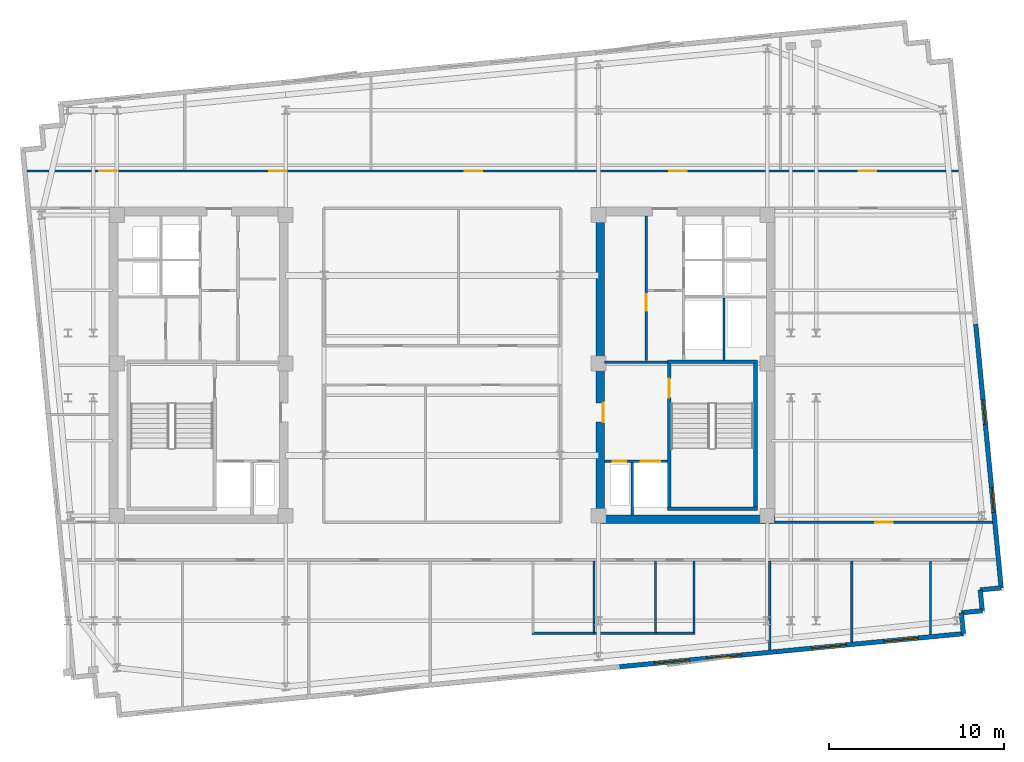
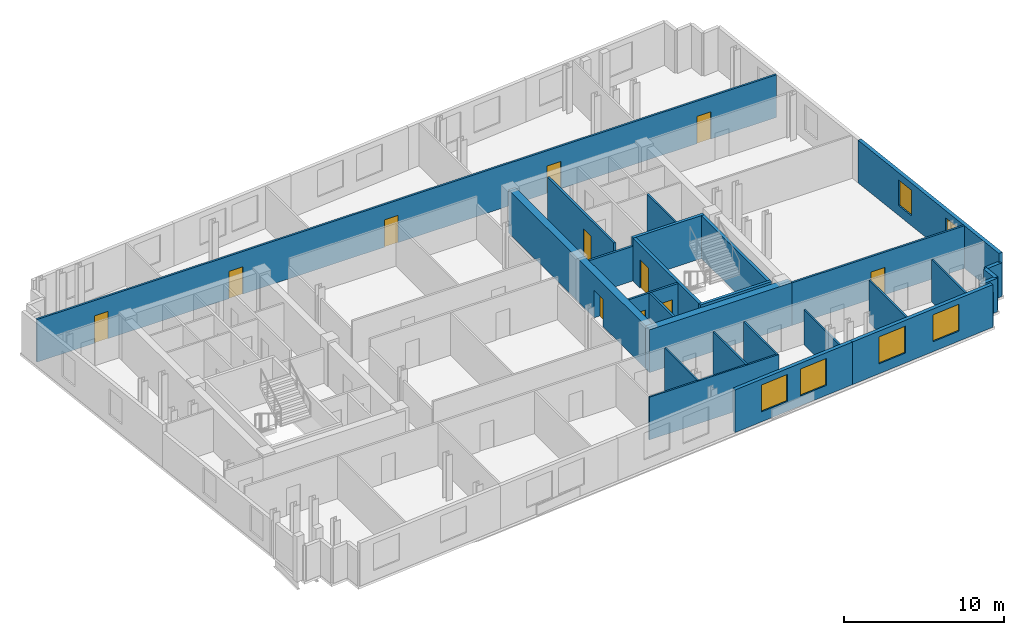
# One storey, part 5 of 9: 27 walls, 11 doors, 6 windows, 17 openings.
"""IFC4 building model written with IfcOpenShell, lengths in metres."""

from ifc_helpers import new_model, si_unit, direction, frame, frame_2d, origin, place, context, subcontext, project, spatial, rectangle, extrude, material, layer, layer_set, type_object, element, fill, save


model = new_model("IFC4")

# Units and contexts
model_context = context("Model", 3, precision=1e-05, world=origin(), true_north=direction((0.0, 1.0)))
body_context = subcontext(model_context, "Body", "Model", "MODEL_VIEW")
ifc_project = project(units=[si_unit("LENGTHUNIT", "METRE"), si_unit("AREAUNIT", "SQUARE_METRE"), si_unit("VOLUMEUNIT", "CUBIC_METRE"), si_unit("PLANEANGLEUNIT", "RADIAN"), si_unit("MASSUNIT", "GRAM", prefix="KILO")], contexts=[model_context])

# Site, building, storey
site_placement = place(None, origin())
site = spatial("IfcSite", under=ifc_project, at=site_placement, CompositionType="ELEMENT")
building_placement = place(site_placement, origin())
building = spatial("IfcBuilding", under=site, at=building_placement, Name="Velakula Bourse", CompositionType="ELEMENT")
storey_placement = place(building_placement, frame((0.0, 0.0, 268.949951171875)))
storey = spatial("IfcBuildingStorey", under=building, at=storey_placement, Name="L73", CompositionType="ELEMENT", Elevation=268.949951171875)

# Wall, opening, door
ifc_material_1 = material(Name="Concrete M50 (fck 50 MPa)", Category="concrete")
ifc_layer_1 = layer(ifc_material_1, 0.2099609375, Name="Concrete M50 (fck 50 MPa)", Category="concrete")
ifc_layer_set_1 = layer_set([ifc_layer_1], Name="Concrete M50 (fck 50 MPa)")
wall_type_1 = type_object("IfcWallType", Name="WL-CORE-210", PredefinedType="SHEAR", material=ifc_layer_set_1)
wall_1_placement = place(storey_placement, frame((12.9951171875, -8.10009765625, 0.0), z_axis=(0.0, 0.0, 1.0), x_axis=(0.0, 1.0, 0.0)))
wall_1 = element("IfcWall", 1, at=wall_1_placement, inside=storey, type_object=wall_type_1, Name="L73 Core E Stairwell Shear Wall IN", PredefinedType="SHEAR", context=body_context, shape_type="SweptSolid", body=[
    extrude(rectangle(XDim=8.2001953125, YDim=0.2099609375, at=frame_2d((4.10009765625, 0.0))), origin(), (0.0, 0.0, 1.0), 3.27001953125),
])
opening_1_placement = place(wall_1_placement, frame((6.25, 0.0, 0.0)))
opening_1 = element("IfcOpeningElement", 2, at=opening_1_placement, cuts=wall_1, Name="Opening D-STE1", PredefinedType="OPENING", context=body_context, shape_type="SweptSolid", body=[
    extrude(rectangle(XDim=1.10009765625, YDim=2.14990234375, at=frame_2d((0.550048828125, 1.074951171875))), frame((0.0, 0.114990234375, 0.0), z_axis=(0.0, -1.0, 0.0), x_axis=(1.0, 0.0, 0.0)), (0.0, 0.0, 1.0), 0.22998046875),
])
ifc_material_2 = material(Name="Galvanised painted hollow steel fire door", Category="steel")
door_type_1 = type_object("IfcDoorType", Name="DR-FD120-1100x2150", OperationType="NOTDEFINED", PredefinedType="DOOR", material=ifc_material_2)
door_1_placement = place(opening_1_placement, origin())
door_1 = element("IfcDoor", 3, at=door_1_placement, inside=storey, type_object=door_type_1, Name="L73 Stair ST-E1 Fire Door", OperationType="SINGLE_SWING_RIGHT", OverallHeight=2.14990234375, OverallWidth=1.10009765625, PredefinedType="DOOR", context=body_context, shape_type="SweptSolid", body=[
    extrude(rectangle(XDim=1.10009765625, YDim=2.14990234375, at=frame_2d((0.550048828125, 1.074951171875))), frame((0.0, 0.02490234375, 0.0), z_axis=(0.0, -1.0, 0.0), x_axis=(1.0, 0.0, 0.0)), (0.0, 0.0, 1.0), 0.050048828125),
])
fill(opening_1, door_1)

# Walls
wall_2_placement = place(storey_placement, frame((17.925048828125, -8.10009765625, 0.0), z_axis=(0.0, 0.0, 1.0), x_axis=(0.0, 1.0, 0.0)))
element("IfcWall", 4, at=wall_2_placement, inside=storey, type_object=wall_type_1, Name="L73 Core E Stairwell Shear Wall OUT", PredefinedType="SHEAR", context=body_context, shape_type="SweptSolid", body=[
    extrude(rectangle(XDim=8.2001953125, YDim=0.2099609375, at=frame_2d((4.10009765625, 0.0))), origin(), (0.0, 0.0, 1.0), 3.27001953125),
])
for number, where, z_axis, x_axis, name in (
    (5, (12.889892578125, -8.205078125, 0.0), (0.0, 0.0, 1.0), (1.0, 0.0, 0.0), "L73 Core E Stairwell Shear Wall S"),
    (6, (18.030029296875, 0.205078125, 0.0), (0.0, 0.0, 1.0), (-1.0, 0.0, 0.0), "L73 Core E Stairwell Shear Wall N"),
):
    element("IfcWall", number, at=place(storey_placement, frame(where, z_axis=z_axis, x_axis=x_axis)), inside=storey, type_object=wall_type_1, Name=name, PredefinedType="SHEAR", context=body_context, shape_type="SweptSolid", body=[
        extrude(rectangle(XDim=5.14013671875, YDim=0.2099609375, at=frame_2d((2.570068359375, 0.0))), origin(), (0.0, 0.0, 1.0), 3.27001953125),
    ])
ifc_layer_2 = layer(ifc_material_1, 0.5, Name="Concrete M50 (fck 50 MPa)", Category="concrete")
ifc_layer_set_2 = layer_set([ifc_layer_2], Name="Concrete M50 (fck 50 MPa)")
wall_type_2 = type_object("IfcWallType", Name="WL-CORE-500", PredefinedType="SHEAR", material=ifc_layer_set_2)
wall_3_placement = place(storey_placement, frame((8.800048828125, -8.800048828125, 0.0), z_axis=(0.0, 0.0, 1.0), x_axis=(1.0, 0.0, 0.0)))
element("IfcWall", 7, at=wall_3_placement, inside=storey, type_object=wall_type_2, Name="L73 Core E Shear Wall S", PredefinedType="SHEAR", context=body_context, shape_type="SweptSolid", body=[
    extrude(rectangle(XDim=10.25, YDim=0.5, at=frame_2d((5.125, 0.0))), origin(), (0.0, 0.0, 1.0), 3.27001953125),
])

# Wall, opening, door
wall_4_placement = place(storey_placement, frame((9.050048828125, -8.550048828125, 0.0), z_axis=(0.0, 0.0, 1.0), x_axis=(0.0, 1.0, 0.0)))
wall_4 = element("IfcWall", 8, at=wall_4_placement, inside=storey, type_object=wall_type_2, Name="L73 Core E Shear Wall W", PredefinedType="SHEAR", context=body_context, shape_type="SweptSolid", body=[
    extrude(rectangle(XDim=17.10009765625, YDim=0.5, at=frame_2d((8.550048828125, 0.0))), origin(), (0.0, 0.0, 1.0), 3.27001953125),
])
opening_2_placement = place(wall_4_placement, frame((5.300048828125, 0.0, 0.0)))
opening_2 = element("IfcOpeningElement", 9, at=opening_2_placement, cuts=wall_4, Name="Opening D-FLE", PredefinedType="OPENING", context=body_context, shape_type="SweptSolid", body=[
    extrude(rectangle(XDim=1.10009765625, YDim=2.080078125, at=frame_2d((0.550048828125, 1.0400390625))), frame((0.0, 0.260009765625, 0.0), z_axis=(0.0, -1.0, 0.0), x_axis=(1.0, 0.0, 0.0)), (0.0, 0.0, 1.0), 0.52001953125),
])
door_type_2 = type_object("IfcDoorType", Name="DR-FD120-1100", OperationType="NOTDEFINED", PredefinedType="DOOR", material=ifc_material_2)
door_2_placement = place(opening_2_placement, origin())
door_2 = element("IfcDoor", 10, at=door_2_placement, inside=storey, type_object=door_type_2, Name="L73 Firefighting Lobby E Corridor Fire Door", OperationType="SINGLE_SWING_RIGHT", OverallHeight=2.080078125, OverallWidth=1.10009765625, PredefinedType="DOOR", context=body_context, shape_type="SweptSolid", body=[
    extrude(rectangle(XDim=1.10009765625, YDim=2.080078125, at=frame_2d((0.550048828125, 1.0400390625))), frame((0.0, -0.15478515625, 0.0), z_axis=(0.0, -1.0, 0.0), x_axis=(1.0, 0.0, 0.0)), (0.0, 0.0, 1.0), 0.050048828125),
])
fill(opening_2, door_2)

# Wall, openings, windows
ifc_material_3 = material(Name="Buff kilned clay facing brick masonry", Category="masonry")
ifc_layer_3 = layer(ifc_material_3, 0.260009765625, Name="Buff kilned clay facing brick masonry", Category="masonry")
ifc_layer_set_3 = layer_set([ifc_layer_3], Name="Buff kilned clay facing brick masonry")
wall_type_3 = type_object("IfcWallType", Name="WL-EXT-BRK-260", PredefinedType="STANDARD", material=ifc_layer_set_3)
wall_5_placement = place(storey_placement, frame((19.119873046875, -16.375244140625, 0.0), z_axis=(0.0, 0.0, 1.0), x_axis=(-0.995396794462, -0.09583956164, 0.0)))
wall_5 = element("IfcWall", 11, at=wall_5_placement, inside=storey, type_object=wall_type_3, Name="L73 S Brick Spandrel Wall B4", PredefinedType="STANDARD", context=body_context, shape_type="SweptSolid", body=[
    extrude(rectangle(XDim=9.0, YDim=0.260009765625, at=frame_2d((4.5, 0.0))), origin(), (0.0, 0.0, 1.0), 3.25),
])
opening_3_placement = place(wall_5_placement, frame((2.0, 0.0, 0.760009765625)))
opening_3 = element("IfcOpeningElement", 12, at=opening_3_placement, cuts=wall_5, Name="Opening W-05", PredefinedType="OPENING", context=body_context, shape_type="SweptSolid", body=[
    extrude(rectangle(XDim=2.0, YDim=2.050048828125, at=frame_2d((1.0, 1.02490234375))), frame((0.0, 0.139892578125, 0.0), z_axis=(0.0, -1.0, 0.0), x_axis=(1.0, 0.0, 0.0)), (0.0, 0.0, 1.0), 0.280029296875),
])
opening_4_placement = place(wall_5_placement, frame((5.0, 0.0, 0.760009765625)))
opening_4 = element("IfcOpeningElement", 13, at=opening_4_placement, cuts=wall_5, Name="Opening W-05", PredefinedType="OPENING", context=body_context, shape_type="SweptSolid", body=[
    extrude(rectangle(XDim=2.0, YDim=2.050048828125, at=frame_2d((1.0, 1.02490234375))), frame((0.0, 0.139892578125, 0.0), z_axis=(0.0, -1.0, 0.0), x_axis=(1.0, 0.0, 0.0)), (0.0, 0.0, 1.0), 0.280029296875),
])
ifc_material_4 = material(Name="Double-glazed solar-control Low-E glass", Category="glass")
window_type_1 = type_object("IfcWindowType", Name="WIN-TWR-2000x2200", PartitioningType="DOUBLE_PANEL_VERTICAL", PredefinedType="WINDOW", material=ifc_material_4)
window_1_placement = place(opening_3_placement, origin())
window_1 = element("IfcWindow", 14, at=window_1_placement, inside=storey, type_object=window_type_1, Name="L73 Deep-Set Recessed Window 1", OverallHeight=2.050048828125, OverallWidth=2.0, PartitioningType="DOUBLE_PANEL_VERTICAL", PredefinedType="WINDOW", context=body_context, shape_type="SweptSolid", body=[
    extrude(rectangle(XDim=2.0, YDim=2.050048828125, at=frame_2d((1.0, 1.02490234375))), frame((0.0, 0.030029296875, 0.0), z_axis=(0.0, -1.0, 0.0), x_axis=(1.0, 0.0, 0.0)), (0.0, 0.0, 1.0), 0.06005859375),
])
fill(opening_3, window_1)
window_2_placement = place(opening_4_placement, origin())
window_2 = element("IfcWindow", 15, at=window_2_placement, inside=storey, type_object=window_type_1, Name="L73 Deep-Set Recessed Window 2", OverallHeight=2.050048828125, OverallWidth=2.0, PartitioningType="DOUBLE_PANEL_VERTICAL", PredefinedType="WINDOW", context=body_context, shape_type="SweptSolid", body=[
    extrude(rectangle(XDim=2.0, YDim=2.050048828125, at=frame_2d((1.0, 1.02490234375))), frame((0.0, 0.030029296875, 0.0), z_axis=(0.0, -1.0, 0.0), x_axis=(1.0, 0.0, 0.0)), (0.0, 0.0, 1.0), 0.06005859375),
])
fill(opening_4, window_2)

wall_6_placement = place(storey_placement, frame((29.820556640625, -15.344970703125, 0.0), z_axis=(0.0, 0.0, 1.0), x_axis=(-0.995396954468, -0.095837899791, 0.0)))
wall_6 = element("IfcWall", 16, at=wall_6_placement, inside=storey, type_object=wall_type_3, Name="L73 S Brick Spandrel Wall B5", PredefinedType="STANDARD", context=body_context, shape_type="SweptSolid", body=[
    extrude(rectangle(XDim=10.750244140625, YDim=0.260009765625, at=frame_2d((5.375, 0.0))), origin(), (0.0, 0.0, 1.0), 3.25),
])
opening_5_placement = place(wall_6_placement, frame((2.583251953125, 0.0, 0.760009765625)))
opening_5 = element("IfcOpeningElement", 17, at=opening_5_placement, cuts=wall_6, Name="Opening W-05", PredefinedType="OPENING", context=body_context, shape_type="SweptSolid", body=[
    extrude(rectangle(XDim=2.0, YDim=2.050048828125, at=frame_2d((1.0, 1.02490234375))), frame((0.0, 0.139892578125, 0.0), z_axis=(0.0, -1.0, 0.0), x_axis=(1.0, 0.0, 0.0)), (0.0, 0.0, 1.0), 0.280029296875),
])
opening_6_placement = place(wall_6_placement, frame((6.716796875, 0.0, 0.760009765625)))
opening_6 = element("IfcOpeningElement", 18, at=opening_6_placement, cuts=wall_6, Name="Opening W-05", PredefinedType="OPENING", context=body_context, shape_type="SweptSolid", body=[
    extrude(rectangle(XDim=2.0, YDim=2.050048828125, at=frame_2d((1.0, 1.02490234375))), frame((0.0, 0.139892578125, 0.0), z_axis=(0.0, -1.0, 0.0), x_axis=(1.0, 0.0, 0.0)), (0.0, 0.0, 1.0), 0.280029296875),
])
window_3_placement = place(opening_5_placement, origin())
window_3 = element("IfcWindow", 19, at=window_3_placement, inside=storey, type_object=window_type_1, Name="L73 Deep-Set Recessed Window 1", OverallHeight=2.050048828125, OverallWidth=2.0, PartitioningType="DOUBLE_PANEL_VERTICAL", PredefinedType="WINDOW", context=body_context, shape_type="SweptSolid", body=[
    extrude(rectangle(XDim=2.0, YDim=2.050048828125, at=frame_2d((1.0, 1.02490234375))), frame((0.0, 0.030029296875, 0.0), z_axis=(0.0, -1.0, 0.0), x_axis=(1.0, 0.0, 0.0)), (0.0, 0.0, 1.0), 0.06005859375),
])
fill(opening_5, window_3)
window_4_placement = place(opening_6_placement, origin())
window_4 = element("IfcWindow", 20, at=window_4_placement, inside=storey, type_object=window_type_1, Name="L73 Deep-Set Recessed Window 2", OverallHeight=2.050048828125, OverallWidth=2.0, PartitioningType="DOUBLE_PANEL_VERTICAL", PredefinedType="WINDOW", context=body_context, shape_type="SweptSolid", body=[
    extrude(rectangle(XDim=2.0, YDim=2.050048828125, at=frame_2d((1.0, 1.02490234375))), frame((0.0, 0.030029296875, 0.0), z_axis=(0.0, -1.0, 0.0), x_axis=(1.0, 0.0, 0.0)), (0.0, 0.0, 1.0), 0.06005859375),
])
fill(opening_6, window_4)

wall_7_placement = place(storey_placement, frame((30.52734375, 2.354248046875, 0.0), z_axis=(0.0, 0.0, 1.0), x_axis=(0.095850890337, -0.995395703638, 0.0)))
wall_7 = element("IfcWall", 21, at=wall_7_placement, inside=storey, type_object=wall_type_3, Name="L73 E Brick End Wall W1", PredefinedType="STANDARD", context=body_context, shape_type="SweptSolid", body=[
    extrude(rectangle(XDim=15.150146484375, YDim=0.260009765625, at=frame_2d((7.5751953125, 0.0))), origin(), (0.0, 0.0, 1.0), 3.25),
])
opening_7_placement = place(wall_7_placement, frame((4.35009765625, 0.0, 0.760009765625)))
opening_7 = element("IfcOpeningElement", 22, at=opening_7_placement, cuts=wall_7, Name="Opening W-03", PredefinedType="OPENING", context=body_context, shape_type="SweptSolid", body=[
    extrude(rectangle(XDim=1.39990234375, YDim=1.949951171875, at=frame_2d((0.699951171875, 0.97509765625))), frame((0.0, 0.139892578125, 0.0), z_axis=(0.0, -1.0, 0.0), x_axis=(1.0, 0.0, 0.0)), (0.0, 0.0, 1.0), 0.280029296875),
])
opening_8_placement = place(wall_7_placement, frame((9.39990234375, 0.0, 0.760009765625)))
opening_8 = element("IfcOpeningElement", 23, at=opening_8_placement, cuts=wall_7, Name="Opening W-03", PredefinedType="OPENING", context=body_context, shape_type="SweptSolid", body=[
    extrude(rectangle(XDim=1.39990234375, YDim=1.949951171875, at=frame_2d((0.699951171875, 0.97509765625))), frame((0.0, 0.139892578125, 0.0), z_axis=(0.0, -1.0, 0.0), x_axis=(1.0, 0.0, 0.0)), (0.0, 0.0, 1.0), 0.280029296875),
])
window_type_2 = type_object("IfcWindowType", Name="WIN-TWR-1400x2100", PartitioningType="SINGLE_PANEL", PredefinedType="WINDOW", material=ifc_material_4)
window_5_placement = place(opening_7_placement, origin())
window_5 = element("IfcWindow", 24, at=window_5_placement, inside=storey, type_object=window_type_2, Name="L73 Deep-Set Recessed Window 1", OverallHeight=1.949951171875, OverallWidth=1.39990234375, PartitioningType="SINGLE_PANEL", PredefinedType="WINDOW", context=body_context, shape_type="SweptSolid", body=[
    extrude(rectangle(XDim=1.39990234375, YDim=1.949951171875, at=frame_2d((0.699951171875, 0.97509765625))), frame((0.0, 0.030029296875, 0.0), z_axis=(0.0, -1.0, 0.0), x_axis=(1.0, 0.0, 0.0)), (0.0, 0.0, 1.0), 0.06005859375),
])
fill(opening_7, window_5)
window_6_placement = place(opening_8_placement, origin())
window_6 = element("IfcWindow", 25, at=window_6_placement, inside=storey, type_object=window_type_2, Name="L73 Deep-Set Recessed Window 2", OverallHeight=1.949951171875, OverallWidth=1.39990234375, PartitioningType="SINGLE_PANEL", PredefinedType="WINDOW", context=body_context, shape_type="SweptSolid", body=[
    extrude(rectangle(XDim=1.39990234375, YDim=1.949951171875, at=frame_2d((0.699951171875, 0.97509765625))), frame((0.0, 0.030029296875, 0.0), z_axis=(0.0, -1.0, 0.0), x_axis=(1.0, 0.0, 0.0)), (0.0, 0.0, 1.0), 0.06005859375),
])
fill(opening_8, window_6)

# Walls
for number, where, z_axis, x_axis, name in (
    (26, (29.820556640625, -15.344970703125, 0.0), (0.0, 0.0, 1.0), (-0.096018626938, 0.995379537303, 0.0), "L73 Serrated Corner Brick Wall SE-1"),
    (27, (29.705322265625, -14.150390625, 0.0), (0.0, 0.0, 1.0), (0.995398960025, 0.095817067274, 0.0), "L73 Serrated Corner Brick Wall SE-2"),
):
    element("IfcWall", number, at=place(storey_placement, frame(where, z_axis=z_axis, x_axis=x_axis)), inside=storey, type_object=wall_type_3, Name=name, PredefinedType="STANDARD", context=body_context, shape_type="SweptSolid", body=[
        extrude(rectangle(XDim=1.2001953125, YDim=0.260009765625, at=frame_2d((0.60009765625, 0.0))), origin(), (0.0, 0.0, 1.0), 2.56494140625),
    ])
wall_8_placement = place(storey_placement, frame((30.89990234375, -14.035400390625, 0.0), z_axis=(0.0, 0.0, 1.0), x_axis=(-0.095836473879, 0.995397091755, 0.0)))
element("IfcWall", 28, at=wall_8_placement, inside=storey, type_object=wall_type_3, Name="L73 Serrated Corner Brick Wall SE-3", PredefinedType="STANDARD", context=body_context, shape_type="SweptSolid", body=[
    extrude(rectangle(XDim=1.199951171875, YDim=0.260009765625, at=frame_2d((0.60009765625, 0.0))), origin(), (0.0, 0.0, 1.0), 2.56494140625),
])
wall_9_placement = place(storey_placement, frame((30.784912109375, -12.841064453125, 0.0), z_axis=(0.0, 0.0, 1.0), x_axis=(0.995398960025, 0.095817067274, 0.0)))
element("IfcWall", 29, at=wall_9_placement, inside=storey, type_object=wall_type_3, Name="L73 Serrated Corner Brick Wall SE-4", PredefinedType="STANDARD", context=body_context, shape_type="SweptSolid", body=[
    extrude(rectangle(XDim=1.2001953125, YDim=0.260009765625, at=frame_2d((0.60009765625, 0.0))), origin(), (0.0, 0.0, 1.0), 2.56494140625),
])
ifc_material_5 = material(Name="Fire-rated double-layer gypsum drywall partition", Category="gypsum")
ifc_layer_4 = layer(ifc_material_5, 0.1201171875, Name="Fire-rated double-layer gypsum drywall partition", Category="gypsum")
ifc_layer_set_4 = layer_set([ifc_layer_4], Name="Fire-rated double-layer gypsum drywall partition")
wall_type_4 = type_object("IfcWallType", Name="WL-PART-120", PredefinedType="STANDARD", material=ifc_layer_set_4)
wall_10_placement = place(storey_placement, frame((16.125, 0.27001953125, 0.0), z_axis=(0.0, 0.0, 1.0), x_axis=(0.0, 1.0, 0.0)))
element("IfcWall", 30, at=wall_10_placement, inside=storey, type_object=wall_type_4, Name="L73 Interior Partition WL-CRE-L73-SVL-E", PredefinedType="STANDARD", context=body_context, shape_type="SweptSolid", body=[
    extrude(rectangle(XDim=3.590087890625, YDim=0.1201171875, at=frame_2d((1.794921875, 0.0))), origin(), (0.0, 0.0, 1.0), 3.25),
])
wall_11_placement = place(storey_placement, frame((5.139892578125, -15.320068359375, 0.0), z_axis=(0.0, 0.0, 1.0), x_axis=(1.0, 0.0, 0.0)))
element("IfcWall", 31, at=wall_11_placement, inside=storey, type_object=wall_type_4, Name="L73 Interior Partition WL-WC-L73-BACK", PredefinedType="STANDARD", context=body_context, shape_type="SweptSolid", body=[
    extrude(rectangle(XDim=9.320068359375, YDim=0.1201171875, at=frame_2d((4.66015625, 0.0))), origin(), (0.0, 0.0, 1.0), 3.25),
])
for number, where, z_axis, x_axis, name in (
    (32, (8.699951171875, -15.320068359375, 0.0), (0.0, 0.0, 1.0), (0.0, 1.0, 0.0), "L73 Interior Partition WL-WC-L73-V2"),
    (33, (12.199951171875, -15.320068359375, 0.0), (0.0, 0.0, 1.0), (0.0, 1.0, 0.0), "L73 Interior Partition WL-WC-L73-V3"),
    (34, (14.39990234375, -15.320068359375, 0.0), (0.0, 0.0, 1.0), (0.0, 1.0, 0.0), "L73 Interior Partition WL-WC-L73-V4"),
):
    element("IfcWall", number, at=place(storey_placement, frame(where, z_axis=z_axis, x_axis=x_axis)), inside=storey, type_object=wall_type_4, Name=name, PredefinedType="STANDARD", context=body_context, shape_type="SweptSolid", body=[
        extrude(rectangle(XDim=4.130126953125, YDim=0.1201171875, at=frame_2d((2.06494140625, 0.0))), origin(), (0.0, 0.0, 1.0), 3.25),
    ])
wall_12_placement = place(storey_placement, frame((18.742919921875, -16.281005859375, 0.0), z_axis=(0.0, 0.0, 1.0), x_axis=(0.0, 1.0, 0.0)))
element("IfcWall", 35, at=wall_12_placement, inside=storey, type_object=wall_type_4, Name="L73 Interior Partition WL-INT-L73-SR-D8", PredefinedType="STANDARD", context=body_context, shape_type="SweptSolid", body=[
    extrude(rectangle(XDim=5.091064453125, YDim=0.1201171875, at=frame_2d((2.54541015625, 0.0))), origin(), (0.0, 0.0, 1.0), 2.64501953125),
])
wall_13_placement = place(storey_placement, frame((23.43310546875, -15.829345703125, 0.0), z_axis=(0.0, 0.0, 1.0), x_axis=(0.0, 1.0, 0.0)))
element("IfcWall", 36, at=wall_13_placement, inside=storey, type_object=wall_type_4, Name="L73 Interior Partition WL-INT-L73-SR-D9", PredefinedType="STANDARD", context=body_context, shape_type="SweptSolid", body=[
    extrude(rectangle(XDim=4.639404296875, YDim=0.1201171875, at=frame_2d((2.31982421875, 0.0))), origin(), (0.0, 0.0, 1.0), 3.25),
])
wall_14_placement = place(storey_placement, frame((27.949951171875, -15.394287109375, 0.0), z_axis=(0.0, 0.0, 1.0), x_axis=(0.0, 1.0, 0.0)))
element("IfcWall", 37, at=wall_14_placement, inside=storey, type_object=wall_type_4, Name="L73 Interior Partition WL-INT-L73-SR-D10", PredefinedType="STANDARD", context=body_context, shape_type="SweptSolid", body=[
    extrude(rectangle(XDim=4.204345703125, YDim=0.1201171875, at=frame_2d((2.10205078125, 0.0))), origin(), (0.0, 0.0, 1.0), 3.25),
])

# Wall, openings, doors
ifc_layer_5 = layer(ifc_material_5, 0.139892578125, Name="Fire-rated double-layer gypsum drywall partition", Category="gypsum")
ifc_layer_set_5 = layer_set([ifc_layer_5], Name="Fire-rated double-layer gypsum drywall partition")
wall_type_5 = type_object("IfcWallType", Name="WL-PART-140", PredefinedType="STANDARD", material=ifc_layer_set_5)
wall_15_placement = place(storey_placement, frame((-23.732666015625, 11.1201171875, 0.0), z_axis=(0.0, 0.0, 1.0), x_axis=(1.0, 0.0, 0.0)))
wall_15 = element("IfcWall", 38, at=wall_15_placement, inside=storey, type_object=wall_type_5, Name="L73 Interior Partition WL-INT-L73-N-CORR", PredefinedType="STANDARD", context=body_context, shape_type="SweptSolid", body=[
    extrude(rectangle(XDim=53.285400390625, YDim=0.139892578125, at=frame_2d((26.642578125, 0.0))), origin(), (0.0, 0.0, 1.0), 3.25),
])
opening_9_placement = place(wall_15_placement, frame((4.13330078125, 0.0, 0.0)))
opening_9 = element("IfcOpeningElement", 39, at=opening_9_placement, cuts=wall_15, Name="Opening D-OF1", PredefinedType="OPENING", context=body_context, shape_type="SweptSolid", body=[
    extrude(rectangle(XDim=1.0, YDim=2.080078125, at=frame_2d((0.5, 1.0400390625))), frame((0.0, 0.079833984375, 0.0), z_axis=(0.0, -1.0, 0.0), x_axis=(1.0, 0.0, 0.0)), (0.0, 0.0, 1.0), 0.159912109375),
])
opening_10_placement = place(wall_15_placement, frame((13.840087890625, 0.0, 0.0)))
opening_10 = element("IfcOpeningElement", 40, at=opening_10_placement, cuts=wall_15, Name="Opening D-OF1", PredefinedType="OPENING", context=body_context, shape_type="SweptSolid", body=[
    extrude(rectangle(XDim=1.0, YDim=2.080078125, at=frame_2d((0.5, 1.0400390625))), frame((0.0, 0.079833984375, 0.0), z_axis=(0.0, -1.0, 0.0), x_axis=(1.0, 0.0, 0.0)), (0.0, 0.0, 1.0), 0.159912109375),
])
opening_11_placement = place(wall_15_placement, frame((25.024169921875, 0.0, 0.0)))
opening_11 = element("IfcOpeningElement", 41, at=opening_11_placement, cuts=wall_15, Name="Opening D-OF1", PredefinedType="OPENING", context=body_context, shape_type="SweptSolid", body=[
    extrude(rectangle(XDim=1.0, YDim=2.080078125, at=frame_2d((0.5, 1.0400390625))), frame((0.0, 0.079833984375, 0.0), z_axis=(0.0, -1.0, 0.0), x_axis=(1.0, 0.0, 0.0)), (0.0, 0.0, 1.0), 0.159912109375),
])
opening_12_placement = place(wall_15_placement, frame((36.7412109375, 0.0, 0.0)))
opening_12 = element("IfcOpeningElement", 42, at=opening_12_placement, cuts=wall_15, Name="Opening D-OF1", PredefinedType="OPENING", context=body_context, shape_type="SweptSolid", body=[
    extrude(rectangle(XDim=1.0, YDim=2.080078125, at=frame_2d((0.5, 1.0400390625))), frame((0.0, 0.079833984375, 0.0), z_axis=(0.0, -1.0, 0.0), x_axis=(1.0, 0.0, 0.0)), (0.0, 0.0, 1.0), 0.159912109375),
])
opening_13_placement = place(wall_15_placement, frame((47.56640625, 0.0, 0.0)))
opening_13 = element("IfcOpeningElement", 43, at=opening_13_placement, cuts=wall_15, Name="Opening D-OF1", PredefinedType="OPENING", context=body_context, shape_type="SweptSolid", body=[
    extrude(rectangle(XDim=1.0, YDim=2.080078125, at=frame_2d((0.5, 1.0400390625))), frame((0.0, 0.079833984375, 0.0), z_axis=(0.0, -1.0, 0.0), x_axis=(1.0, 0.0, 0.0)), (0.0, 0.0, 1.0), 0.159912109375),
])
ifc_material_6 = material(Name="Fire-rated hardwood flush architectural door", Category="wood")
door_type_3 = type_object("IfcDoorType", Name="DR-OFF-1000", OperationType="NOTDEFINED", PredefinedType="DOOR", material=ifc_material_6)
door_3_placement = place(opening_9_placement, origin())
door_3 = element("IfcDoor", 44, at=door_3_placement, inside=storey, type_object=door_type_3, Name="L73 Quantitative Research Workspace Door", OperationType="SINGLE_SWING_RIGHT", OverallHeight=2.080078125, OverallWidth=1.0, PredefinedType="DOOR", context=body_context, shape_type="SweptSolid", body=[
    extrude(rectangle(XDim=1.0, YDim=2.080078125, at=frame_2d((0.5, 1.0400390625))), frame((0.0, 0.02490234375, 0.0), z_axis=(0.0, -1.0, 0.0), x_axis=(1.0, 0.0, 0.0)), (0.0, 0.0, 1.0), 0.050048828125),
])
fill(opening_9, door_3)
door_4_placement = place(opening_10_placement, origin())
door_4 = element("IfcDoor", 45, at=door_4_placement, inside=storey, type_object=door_type_3, Name="L73 Risk Review Boardroom Door", OperationType="SINGLE_SWING_RIGHT", OverallHeight=2.080078125, OverallWidth=1.0, PredefinedType="DOOR", context=body_context, shape_type="SweptSolid", body=[
    extrude(rectangle(XDim=1.0, YDim=2.080078125, at=frame_2d((0.5, 1.0400390625))), frame((0.0, 0.02490234375, 0.0), z_axis=(0.0, -1.0, 0.0), x_axis=(1.0, 0.0, 0.0)), (0.0, 0.0, 1.0), 0.050048828125),
])
fill(opening_10, door_4)
door_5_placement = place(opening_11_placement, origin())
door_5 = element("IfcDoor", 46, at=door_5_placement, inside=storey, type_object=door_type_3, Name="L73 Catering Servery Pantry Door", OperationType="SINGLE_SWING_LEFT", OverallHeight=2.080078125, OverallWidth=1.0, PredefinedType="DOOR", context=body_context, shape_type="SweptSolid", body=[
    extrude(rectangle(XDim=1.0, YDim=2.080078125, at=frame_2d((0.5, 1.0400390625))), frame((0.0, 0.02490234375, 0.0), z_axis=(0.0, -1.0, 0.0), x_axis=(1.0, 0.0, 0.0)), (0.0, 0.0, 1.0), 0.050048828125),
])
fill(opening_11, door_5)
door_6_placement = place(opening_12_placement, origin())
door_6 = element("IfcDoor", 47, at=door_6_placement, inside=storey, type_object=door_type_3, Name="L73 Traders Bistro Restaurant Door", OperationType="SINGLE_SWING_RIGHT", OverallHeight=2.080078125, OverallWidth=1.0, PredefinedType="DOOR", context=body_context, shape_type="SweptSolid", body=[
    extrude(rectangle(XDim=1.0, YDim=2.080078125, at=frame_2d((0.5, 1.0400390625))), frame((0.0, 0.02490234375, 0.0), z_axis=(0.0, -1.0, 0.0), x_axis=(1.0, 0.0, 0.0)), (0.0, 0.0, 1.0), 0.050048828125),
])
fill(opening_12, door_6)
door_7_placement = place(opening_13_placement, origin())
door_7 = element("IfcDoor", 48, at=door_7_placement, inside=storey, type_object=door_type_3, Name="L73 Asset Allocation Office Door", OperationType="SINGLE_SWING_LEFT", OverallHeight=2.080078125, OverallWidth=1.0, PredefinedType="DOOR", context=body_context, shape_type="SweptSolid", body=[
    extrude(rectangle(XDim=1.0, YDim=2.080078125, at=frame_2d((0.5, 1.0400390625))), frame((0.0, 0.02490234375, 0.0), z_axis=(0.0, -1.0, 0.0), x_axis=(1.0, 0.0, 0.0)), (0.0, 0.0, 1.0), 0.050048828125),
])
fill(opening_13, door_7)

# Wall, opening, door
wall_16_placement = place(storey_placement, frame((19.050048828125, -8.97998046875, 0.0), z_axis=(0.0, 0.0, 1.0), x_axis=(1.0, 0.0, 0.0)))
wall_16 = element("IfcWall", 49, at=wall_16_placement, inside=storey, type_object=wall_type_5, Name="L73 Interior Partition WL-INT-L73-E-SC", PredefinedType="STANDARD", context=body_context, shape_type="SweptSolid", body=[
    extrude(rectangle(XDim=12.43798828125, YDim=0.139892578125, at=frame_2d((6.218994140625, 0.0))), origin(), (0.0, 0.0, 1.0), 3.25),
])
opening_14_placement = place(wall_16_placement, frame((5.718994140625, 0.0, 0.0)))
opening_14 = element("IfcOpeningElement", 50, at=opening_14_placement, cuts=wall_16, Name="Opening D-OF1", PredefinedType="OPENING", context=body_context, shape_type="SweptSolid", body=[
    extrude(rectangle(XDim=1.0, YDim=2.080078125, at=frame_2d((0.5, 1.0400390625))), frame((0.0, 0.079833984375, 0.0), z_axis=(0.0, -1.0, 0.0), x_axis=(1.0, 0.0, 0.0)), (0.0, 0.0, 1.0), 0.159912109375),
])
door_8_placement = place(opening_14_placement, origin())
door_8 = element("IfcDoor", 51, at=door_8_placement, inside=storey, type_object=door_type_3, Name="L73 Central Depository Workspace Door", OperationType="SINGLE_SWING_RIGHT", OverallHeight=2.080078125, OverallWidth=1.0, PredefinedType="DOOR", context=body_context, shape_type="SweptSolid", body=[
    extrude(rectangle(XDim=1.0, YDim=2.080078125, at=frame_2d((0.5, 1.0400390625))), frame((0.0, 0.02490234375, 0.0), z_axis=(0.0, -1.0, 0.0), x_axis=(1.0, 0.0, 0.0)), (0.0, 0.0, 1.0), 0.050048828125),
])
fill(opening_14, door_8)

# Wall, openings, doors
ifc_material_7 = material(Name="Autoclaved aerated concrete blockwork masonry", Category="masonry")
ifc_layer_6 = layer(ifc_material_7, 0.14990234375, Name="Autoclaved aerated concrete blockwork masonry", Category="masonry")
ifc_layer_set_6 = layer_set([ifc_layer_6], Name="Autoclaved aerated concrete blockwork masonry")
wall_type_6 = type_object("IfcWallType", Name="WL-SHAFT-150", PredefinedType="STANDARD", material=ifc_layer_set_6)
wall_17_placement = place(storey_placement, frame((9.300048828125, -5.47509765625, 0.0), z_axis=(0.0, 0.0, 1.0), x_axis=(1.0, 0.0, 0.0)))
wall_17 = element("IfcWall", 52, at=wall_17_placement, inside=storey, type_object=wall_type_6, Name="L73 Interior Partition WL-CRE-L73-FFL-N", PredefinedType="STANDARD", context=body_context, shape_type="SweptSolid", body=[
    extrude(rectangle(XDim=3.594970703125, YDim=0.14990234375, at=frame_2d((1.79736328125, 0.0))), origin(), (0.0, 0.0, 1.0), 3.25),
])
opening_15_placement = place(wall_17_placement, frame((2.074951171875, 0.0, 0.0)))
opening_15 = element("IfcOpeningElement", 53, at=opening_15_placement, cuts=wall_17, Name="Opening LD-FFL-2", PredefinedType="OPENING", context=body_context, shape_type="SweptSolid", body=[
    extrude(rectangle(XDim=1.10009765625, YDim=2.14990234375, at=frame_2d((0.550048828125, 1.074951171875))), frame((0.0, 0.0849609375, 0.0), z_axis=(0.0, -1.0, 0.0), x_axis=(1.0, 0.0, 0.0)), (0.0, 0.0, 1.0), 0.169921875),
])
opening_16_placement = place(wall_17_placement, frame((0.47509765625, 0.0, 0.0)))
opening_16 = element("IfcOpeningElement", 54, at=opening_16_placement, cuts=wall_17, Name="Opening D-RS1", PredefinedType="OPENING", context=body_context, shape_type="SweptSolid", body=[
    extrude(rectangle(XDim=0.75, YDim=2.050048828125, at=frame_2d((0.375, 1.02490234375))), frame((0.0, 0.0849609375, 0.0), z_axis=(0.0, -1.0, 0.0), x_axis=(1.0, 0.0, 0.0)), (0.0, 0.0, 1.0), 0.169921875),
])
door_type_4 = type_object("IfcDoorType", Name="DR-RISER-800", OperationType="NOTDEFINED", PredefinedType="DOOR", material=ifc_material_2)
door_9_placement = place(opening_16_placement, origin())
door_9 = element("IfcDoor", 55, at=door_9_placement, inside=storey, type_object=door_type_4, Name="L73 Fire Riser Access Door", OperationType="SINGLE_SWING_LEFT", OverallHeight=2.050048828125, OverallWidth=0.75, PredefinedType="DOOR", context=body_context, shape_type="SweptSolid", body=[
    extrude(rectangle(XDim=0.75, YDim=2.050048828125, at=frame_2d((0.375, 1.02490234375))), frame((0.0, 0.02490234375, 0.0), z_axis=(0.0, -1.0, 0.0), x_axis=(1.0, 0.0, 0.0)), (0.0, 0.0, 1.0), 0.050048828125),
])
fill(opening_16, door_9)
ifc_material_8 = material(Name="Brushed grade 316 stainless steel", Category="steel")
door_type_5 = type_object("IfcDoorType", Name="DR-SLIDE-FFL-1100", OperationType="DOUBLE_DOOR_SLIDING", PredefinedType="DOOR", material=ifc_material_8)
door_10_placement = place(opening_15_placement, origin())
door_10 = element("IfcDoor", 56, at=door_10_placement, inside=storey, type_object=door_type_5, Name="L73 Firefighting Lift FFL-2 Sliding Landing Door", OperationType="DOUBLE_DOOR_SLIDING", OverallHeight=2.14990234375, OverallWidth=1.10009765625, PredefinedType="DOOR", context=body_context, shape_type="SweptSolid", body=[
    extrude(rectangle(XDim=1.10009765625, YDim=2.14990234375, at=frame_2d((0.550048828125, 1.074951171875))), frame((0.0, 0.02490234375, 0.0), z_axis=(0.0, -1.0, 0.0), x_axis=(1.0, 0.0, 0.0)), (0.0, 0.0, 1.0), 0.050048828125),
])
fill(opening_15, door_10)

# Walls
wall_18_placement = place(storey_placement, frame((10.875, -8.550048828125, 0.0), z_axis=(0.0, 0.0, 1.0), x_axis=(0.0, 1.0, 0.0)))
element("IfcWall", 57, at=wall_18_placement, inside=storey, type_object=wall_type_6, Name="L73 Interior Partition WL-CRE-L73-FR-DIV", PredefinedType="STANDARD", context=body_context, shape_type="SweptSolid", body=[
    extrude(rectangle(XDim=3.0, YDim=0.14990234375, at=frame_2d((1.5, 0.0))), origin(), (0.0, 0.0, 1.0), 3.25),
])
wall_19_placement = place(storey_placement, frame((9.300048828125, 0.18994140625, 0.0), z_axis=(0.0, 0.0, 1.0), x_axis=(1.0, 0.0, 0.0)))
element("IfcWall", 58, at=wall_19_placement, inside=storey, type_object=wall_type_6, Name="L73 Interior Partition WL-CRE-L73-FF-TOP", PredefinedType="STANDARD", context=body_context, shape_type="SweptSolid", body=[
    extrude(rectangle(XDim=3.58984375, YDim=0.14990234375, at=frame_2d((1.794921875, 0.0))), origin(), (0.0, 0.0, 1.0), 2.64501953125),
])

# Wall, opening, door
wall_20_placement = place(storey_placement, frame((11.675048828125, 0.27001953125, 0.0), z_axis=(0.0, 0.0, 1.0), x_axis=(0.0, 1.0, 0.0)))
wall_20 = element("IfcWall", 59, at=wall_20_placement, inside=storey, type_object=wall_type_6, Name="L73 Interior Partition WL-CRE-L73-BANK-F", PredefinedType="STANDARD", context=body_context, shape_type="SweptSolid", body=[
    extrude(rectangle(XDim=8.280029296875, YDim=0.14990234375, at=frame_2d((4.14013671875, 0.0))), origin(), (0.0, 0.0, 1.0), 3.25),
])
opening_17_placement = place(wall_20_placement, frame((2.85009765625, 0.0, 0.0)))
opening_17 = element("IfcOpeningElement", 60, at=opening_17_placement, cuts=wall_20, Name="Opening D-RC5", PredefinedType="OPENING", context=body_context, shape_type="SweptSolid", body=[
    extrude(rectangle(XDim=0.949951171875, YDim=2.050048828125, at=frame_2d((0.47509765625, 1.02490234375))), frame((0.0, 0.0849609375, 0.0), z_axis=(0.0, -1.0, 0.0), x_axis=(1.0, 0.0, 0.0)), (0.0, 0.0, 1.0), 0.169921875),
])
door_type_6 = type_object("IfcDoorType", Name="DR-FD60-950x2050", OperationType="NOTDEFINED", PredefinedType="DOOR", material=ifc_material_6)
door_11_placement = place(opening_17_placement, origin())
door_11 = element("IfcDoor", 61, at=door_11_placement, inside=storey, type_object=door_type_6, Name="L73 Reclaimed Multi-Bay Depository Room Door", OperationType="SINGLE_SWING_LEFT", OverallHeight=2.050048828125, OverallWidth=0.949951171875, PredefinedType="DOOR", context=body_context, shape_type="SweptSolid", body=[
    extrude(rectangle(XDim=0.949951171875, YDim=2.050048828125, at=frame_2d((0.47509765625, 1.02490234375))), frame((0.0, 0.02490234375, 0.0), z_axis=(0.0, -1.0, 0.0), x_axis=(1.0, 0.0, 0.0)), (0.0, 0.0, 1.0), 0.050048828125),
])
fill(opening_17, door_11)

save(model, "model.ifc")
